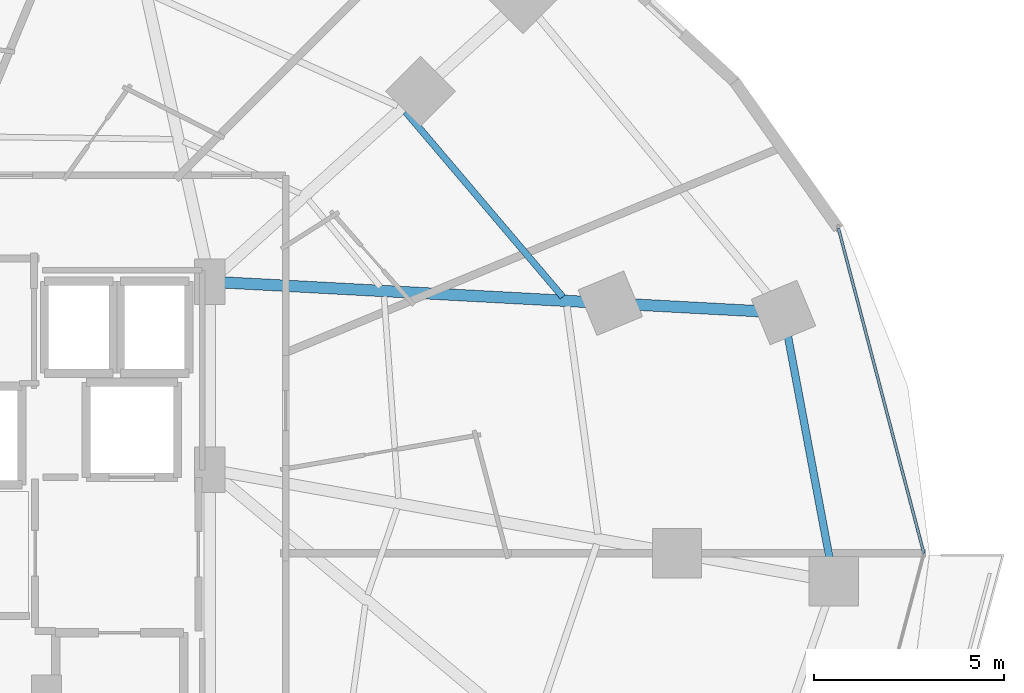
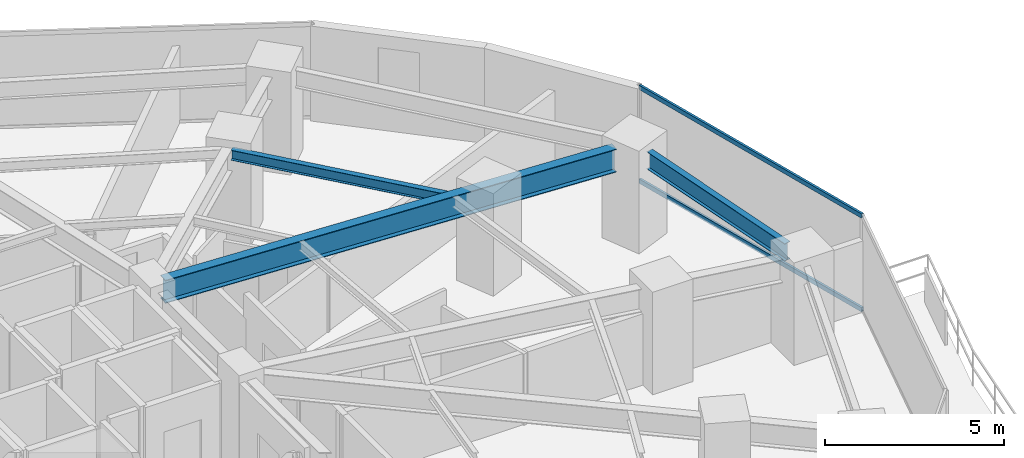
# One storey, part 17 of 34: 3 beams, 2 members, 1 element without a shape of its own.
"""IFC4 building model written with IfcOpenShell, lengths in metres."""

from ifc_helpers import new_model, si_unit, direction, frame, origin, origin_2d, place, context, subcontext, project, spatial, hollow_rectangle, i_section, extrude, material, material_profile, profile_set, type_object, element, aggregate, save


model = new_model("IFC4")

# Units and contexts
model_context = context("Model", 3, precision=1e-05, world=origin(), true_north=direction((0.0, 1.0)))
body_context = subcontext(model_context, "Body", "Model", "MODEL_VIEW")
ifc_project = project(units=[si_unit("LENGTHUNIT", "METRE"), si_unit("AREAUNIT", "SQUARE_METRE"), si_unit("VOLUMEUNIT", "CUBIC_METRE"), si_unit("PLANEANGLEUNIT", "RADIAN"), si_unit("MASSUNIT", "GRAM", prefix="KILO")], contexts=[model_context])

# Site, building, storey
site_placement = place(None, origin())
site = spatial("IfcSite", under=ifc_project, at=site_placement, CompositionType="ELEMENT")
building_placement = place(site_placement, origin())
building = spatial("IfcBuilding", under=site, at=building_placement, Name="Vorneva Point Tower", CompositionType="ELEMENT")
storey_placement = place(building_placement, frame((0.0, 0.0, 27.5)))
storey = spatial("IfcBuildingStorey", under=building, at=storey_placement, Name="L06", CompositionType="ELEMENT", Elevation=27.5)

# Beams
ifc_material_1 = material(Name="Steel S355", Category="steel")
ifc_material_profile_1 = material_profile(ifc_material_1, i_section(OverallWidth=0.300048828125, OverallDepth=0.7880859375, WebThickness=0.014404296875, FlangeThickness=0.02197265625, at=origin_2d()), Name="80Sh1")
ifc_profile_set_1 = profile_set([ifc_material_profile_1], Name="Steel S355")
beam_type_1 = type_object("IfcBeamType", Name="BM-GRD-80Sh1", PredefinedType="USERDEFINED", material=ifc_profile_set_1)
beam_1_placement = place(storey_placement, frame((63.21728515625, 32.37109375, 2.845947265625), z_axis=(-0.998554288689, 0.053752511954, 0.0), x_axis=(-0.053752511954, -0.998554288689, 0.0)))
element("IfcBeam", 1, at=beam_1_placement, inside=storey, type_object=beam_type_1, Name="L06 Radial Primary Girder 02", ObjectType="GIRDER", PredefinedType="USERDEFINED", context=body_context, shape_type="SweptSolid", body=[
    extrude(i_section(OverallWidth=0.300048828125, OverallDepth=0.7880859375, WebThickness=0.014404296875, FlangeThickness=0.02197265625, at=origin_2d()), origin(), (0.0, 0.0, 1.0), 14.148193359375),
])
ifc_material_profile_2 = material_profile(ifc_material_1, i_section(OverallWidth=0.174072265625, OverallDepth=0.345947265625, WebThickness=0.006103515625, FlangeThickness=0.009033203125, at=origin_2d()), Name="35B1")
ifc_profile_set_2 = profile_set([ifc_material_profile_2], Name="Steel S355")
beam_type_2 = type_object("IfcBeamType", Name="BM-SEC-35B1", PredefinedType="BEAM", material=ifc_profile_set_2)
beam_2_placement = place(storey_placement, frame((58.0419921875, 32.75, 3.06689453125), z_axis=(-0.647289042698, 0.76224464262, 0.0), x_axis=(-0.76224464262, -0.647289042698, 0.0)))
element("IfcBeam", 2, at=beam_2_placement, inside=storey, type_object=beam_type_2, Name="L06 Secondary Floor Beam 1.02", PredefinedType="BEAM", context=body_context, shape_type="SweptSolid", body=[
    extrude(i_section(OverallWidth=0.174072265625, OverallDepth=0.345947265625, WebThickness=0.006103515625, FlangeThickness=0.009033203125, at=origin_2d()), origin(), (0.0, 0.0, 1.0), 6.390380859375),
])
ifc_material_profile_3 = material_profile(ifc_material_1, i_section(OverallWidth=0.198974609375, OverallDepth=0.595947265625, WebThickness=0.010009765625, FlangeThickness=0.014892578125, at=origin_2d()), Name="60B1")
ifc_profile_set_3 = profile_set([ifc_material_profile_3], Name="Steel S355")
beam_type_3 = type_object("IfcBeamType", Name="BM-SPN-60B1", PredefinedType="SPANDREL", material=ifc_profile_set_3)
beam_3_placement = place(storey_placement, frame((65.06494140625, 25.885009765625, 2.94189453125), z_axis=(-0.184383004327, 0.982854469245, 0.0), x_axis=(-0.982854469245, -0.184383004327, 0.0)))
element("IfcBeam", 3, at=beam_3_placement, inside=storey, type_object=beam_type_3, Name="L06 Perimeter Spandrel Ring Beam 01", PredefinedType="SPANDREL", context=body_context, shape_type="SweptSolid", body=[
    extrude(i_section(OverallWidth=0.198974609375, OverallDepth=0.595947265625, WebThickness=0.010009765625, FlangeThickness=0.014892578125, at=origin_2d()), origin(), (0.0, 0.0, 1.0), 5.92919921875),
])

# Curtain wall, members
ifc_material_2 = material(Name="Pale anodised aluminium", Category="aluminium")
curtain_wall_type = type_object("IfcCurtainWallType", Name="CW-HTL-SYS", PredefinedType="NOTDEFINED", material=ifc_material_2)
curtain_wall_placement = place(storey_placement, origin())
curtain_wall = element("IfcCurtainWall", 4, at=curtain_wall_placement, inside=storey, type_object=curtain_wall_type, Name="L06 Unitised Curtain Wall CW-L06-R01", PredefinedType="NOTDEFINED")
ifc_material_profile_4 = material_profile(ifc_material_2, hollow_rectangle(XDim=0.074951171875, YDim=0.14990234375, WallThickness=0.00390625, at=origin_2d()), Name="AL-TRN 150x75x4")
ifc_profile_set_4 = profile_set([ifc_material_profile_4], Name="Pale anodised aluminium")
member_type = type_object("IfcMemberType", Name="CW-TRN-150", PredefinedType="USERDEFINED", material=ifc_profile_set_4)
member_1_placement = place(storey_placement, frame((67.550048828125, 26.0, 0.02001953125), z_axis=(-0.254358772746, 0.967109928978, 0.0), x_axis=(-0.967109928978, -0.254358772746, 0.0)))
member_1 = element("IfcMember", 5, at=member_1_placement, type_object=member_type, Name="CW-L06-R01 Transom 03.1", ObjectType="TRANSOM", PredefinedType="USERDEFINED", context=body_context, shape_type="SweptSolid", body=[
    extrude(hollow_rectangle(XDim=0.074951171875, YDim=0.14990234375, WallThickness=0.00390625, at=origin_2d()), origin(), (0.0, 0.0, 1.0), 8.84375),
])
member_2_placement = place(storey_placement, frame((67.550048828125, 26.0, 3.219970703125), z_axis=(-0.254358772746, 0.967109928978, 0.0), x_axis=(-0.967109928978, -0.254358772746, 0.0)))
member_2 = element("IfcMember", 6, at=member_2_placement, type_object=member_type, Name="CW-L06-R01 Transom 03.2", ObjectType="TRANSOM", PredefinedType="USERDEFINED", context=body_context, shape_type="SweptSolid", body=[
    extrude(hollow_rectangle(XDim=0.074951171875, YDim=0.14990234375, WallThickness=0.00390625, at=origin_2d()), origin(), (0.0, 0.0, 1.0), 8.84375),
])
aggregate(curtain_wall, [member_1, member_2])

save(model, "model.ifc")
